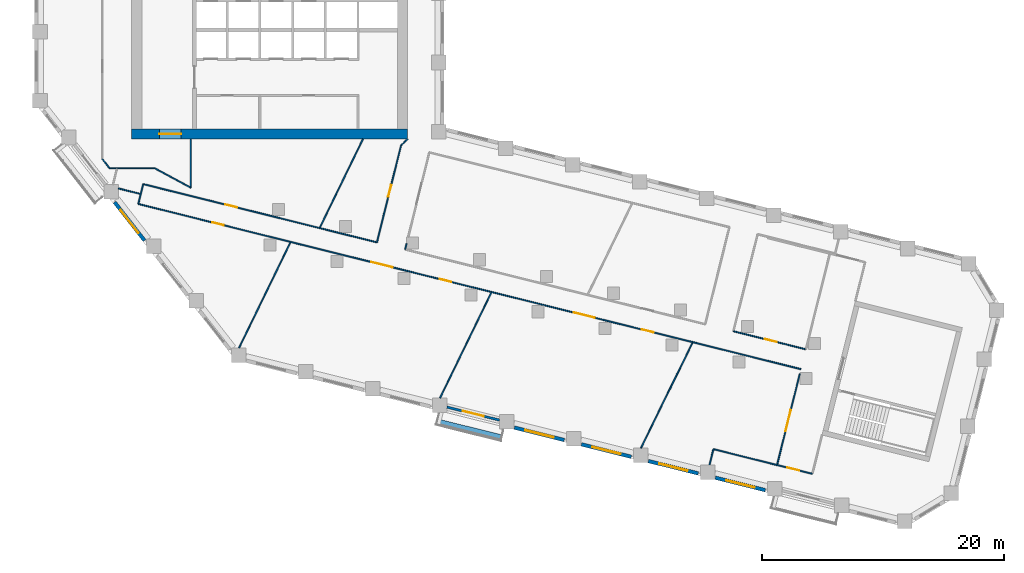
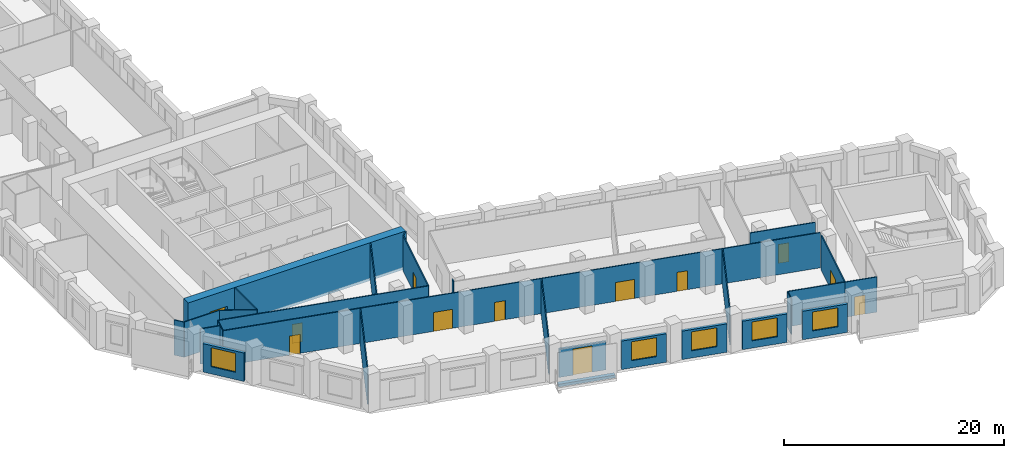
# One storey, part 3 of 10: 28 walls, 12 doors, 5 windows, 17 openings.
"""IFC4 building model written with IfcOpenShell, lengths in metres."""

from ifc_helpers import new_model, si_unit, direction, frame, frame_2d, origin, place, context, subcontext, project, spatial, rectangle, extrude, material, layer, layer_set, type_object, element, fill, save


model = new_model("IFC4")

# Units and contexts
model_context = context("Model", 3, precision=1e-05, world=origin(), true_north=direction((0.0, 1.0)))
body_context = subcontext(model_context, "Body", "Model", "MODEL_VIEW")
ifc_project = project(units=[si_unit("LENGTHUNIT", "METRE"), si_unit("AREAUNIT", "SQUARE_METRE"), si_unit("VOLUMEUNIT", "CUBIC_METRE"), si_unit("PLANEANGLEUNIT", "RADIAN"), si_unit("MASSUNIT", "GRAM", prefix="KILO")], contexts=[model_context])

# Site, building, storey
site_placement = place(None, origin())
site = spatial("IfcSite", under=ifc_project, at=site_placement, CompositionType="ELEMENT")
building_placement = place(site_placement, origin())
building = spatial("IfcBuilding", under=site, at=building_placement, Name="Meshkara Civic Tower", CompositionType="ELEMENT")
storey_placement = place(building_placement, frame((0.0, 0.0, 190.800048828125)))
storey = spatial("IfcBuildingStorey", under=building, at=storey_placement, Name="L43", CompositionType="ELEMENT", Elevation=190.800048828125)

# Wall, opening, door
ifc_material_1 = material(Name="Concrete C70", Category="concrete")
ifc_layer_1 = layer(ifc_material_1, 0.85009765625)
ifc_layer_set_1 = layer_set([ifc_layer_1], Name="Core ring wall 850 C70")
wall_type_1 = type_object("IfcWallType", Name="Core ring wall 850 C70", PredefinedType="SHEAR", material=ifc_layer_set_1)
wall_1_placement = place(storey_placement, frame((8.0, 14.52490234375, -0.300048828125), z_axis=(0.0, 0.0, 1.0), x_axis=(1.0, 0.0, 0.0)))
wall_1 = element("IfcWall", 1, at=wall_1_placement, inside=storey, type_object=wall_type_1, Name="L43-C001", PredefinedType="SHEAR", context=body_context, shape_type="SweptSolid", body=[
    extrude(rectangle(XDim=22.800048828125, YDim=0.85009765625, at=frame_2d((11.39990234375, 0.0))), origin(), (0.0, 0.0, 1.0), 4.199951171875),
])
opening_1_placement = place(wall_1_placement, frame((2.300048828125, 0.0, 0.300048828125)))
opening_1 = element("IfcOpeningElement", 2, at=opening_1_placement, cuts=wall_1, Name="Opening L43-K021", PredefinedType="OPENING", context=body_context, shape_type="SweptSolid", body=[
    extrude(rectangle(XDim=1.800048828125, YDim=2.10009765625, at=frame_2d((0.89990234375, 1.050048828125))), frame((0.0, 0.43505859375, 0.0), z_axis=(0.0, -1.0, 0.0), x_axis=(1.0, 0.0, 0.0)), (0.0, 0.0, 1.0), 0.8701171875),
])
ifc_material_2 = material(Name="Fire-rated door leaf in steel frame", Category="steel")
door_type_1 = type_object("IfcDoorType", Name="Core double door 1800 EI 60", OperationType="DOUBLE_DOOR_SINGLE_SWING", PredefinedType="DOOR", material=ifc_material_2)
door_1_placement = place(opening_1_placement, origin())
door_1 = element("IfcDoor", 3, at=door_1_placement, inside=storey, type_object=door_type_1, Name="L43-K021", OperationType="DOUBLE_DOOR_SINGLE_SWING", OverallHeight=2.10009765625, OverallWidth=1.800048828125, PredefinedType="DOOR", context=body_context, shape_type="SweptSolid", body=[
    extrude(rectangle(XDim=1.800048828125, YDim=2.10009765625, at=frame_2d((0.89990234375, 1.050048828125))), frame((0.0, 0.02490234375, 0.0), z_axis=(0.0, -1.0, 0.0), x_axis=(1.0, 0.0, 0.0)), (0.0, 0.0, 1.0), 0.050048828125),
])
fill(opening_1, door_1)

# Walls
ifc_material_3 = material(Name="Corridor wall 100")
ifc_layer_2 = layer(ifc_material_3, 0.10009765625)
ifc_layer_set_2 = layer_set([ifc_layer_2], Name="Corridor wall 100")
wall_type_2 = type_object("IfcWallType", Name="Corridor wall 100", PredefinedType="PARTITIONING", material=ifc_layer_set_2)
wall_2_placement = place(storey_placement, frame((5.60009765625, 12.450927734375, 0.0), z_axis=(0.0, 0.0, 1.0), x_axis=(0.615783213621, -0.787915626081, 0.0)))
element("IfcWall", 4, at=wall_2_placement, inside=storey, type_object=wall_type_2, Name="L43-W004", PredefinedType="PARTITIONING", context=body_context, shape_type="SweptSolid", body=[
    extrude(rectangle(XDim=0.953125, YDim=0.10009765625, at=frame_2d((0.4765625, 0.0))), origin(), (0.0, 0.0, 1.0), 3.89990234375),
])
wall_3_placement = place(storey_placement, frame((6.18701171875, 11.699951171875, 0.0), z_axis=(0.0, 0.0, 1.0), x_axis=(1.0, 0.0, 0.0)))
element("IfcWall", 5, at=wall_3_placement, inside=storey, type_object=wall_type_2, Name="L43-W006", PredefinedType="PARTITIONING", context=body_context, shape_type="SweptSolid", body=[
    extrude(rectangle(XDim=3.712890625, YDim=0.10009765625, at=frame_2d((1.8564453125, 0.0))), origin(), (0.0, 0.0, 1.0), 3.89990234375),
])

# Wall, openings, doors
wall_4_placement = place(storey_placement, frame((8.56494140625, 8.743896484375, 0.0), z_axis=(0.0, 0.0, 1.0), x_axis=(0.97029693432, -0.24191705035, 0.0)))
wall_4 = element("IfcWall", 6, at=wall_4_placement, inside=storey, type_object=wall_type_2, Name="L43-W009", PredefinedType="PARTITIONING", context=body_context, shape_type="SweptSolid", body=[
    extrude(rectangle(XDim=56.37451171875, YDim=0.10009765625, at=frame_2d((28.187255859375, 0.0))), origin(), (0.0, 0.0, 1.0), 3.89990234375),
])
opening_2_placement = place(wall_4_placement, frame((37.030029296875, 0.0, 0.0)))
opening_2 = element("IfcOpeningElement", 7, at=opening_2_placement, cuts=wall_4, Name="Opening L43-D003", PredefinedType="OPENING", context=body_context, shape_type="SweptSolid", body=[
    extrude(rectangle(XDim=1.800048828125, YDim=2.10009765625, at=frame_2d((0.89990234375, 1.050048828125))), frame((0.0, 0.06005859375, 0.0), z_axis=(0.0, -1.0, 0.0), x_axis=(1.0, 0.0, 0.0)), (0.0, 0.0, 1.0), 0.1201171875),
])
opening_3_placement = place(wall_4_placement, frame((42.830078125, 0.0, 0.0)))
opening_3 = element("IfcOpeningElement", 8, at=opening_3_placement, cuts=wall_4, Name="Opening L43-D004", PredefinedType="OPENING", context=body_context, shape_type="SweptSolid", body=[
    extrude(rectangle(XDim=1.0, YDim=2.10009765625, at=frame_2d((0.5, 1.050048828125))), frame((0.0, 0.06005859375, 0.0), z_axis=(0.0, -1.0, 0.0), x_axis=(1.0, 0.0, 0.0)), (0.0, 0.0, 1.0), 0.1201171875),
])
opening_4_placement = place(wall_4_placement, frame((19.8310546875, 0.0, 0.0)))
opening_4 = element("IfcOpeningElement", 9, at=opening_4_placement, cuts=wall_4, Name="Opening L43-D006", PredefinedType="OPENING", context=body_context, shape_type="SweptSolid", body=[
    extrude(rectangle(XDim=1.800048828125, YDim=2.10009765625, at=frame_2d((0.89990234375, 1.050048828125))), frame((0.0, 0.06005859375, 0.0), z_axis=(0.0, -1.0, 0.0), x_axis=(1.0, 0.0, 0.0)), (0.0, 0.0, 1.0), 0.1201171875),
])
opening_5_placement = place(wall_4_placement, frame((25.631103515625, 0.0, 0.0)))
opening_5 = element("IfcOpeningElement", 10, at=opening_5_placement, cuts=wall_4, Name="Opening L43-D007", PredefinedType="OPENING", context=body_context, shape_type="SweptSolid", body=[
    extrude(rectangle(XDim=1.0, YDim=2.10009765625, at=frame_2d((0.5, 1.050048828125))), frame((0.0, 0.06005859375, 0.0), z_axis=(0.0, -1.0, 0.0), x_axis=(1.0, 0.0, 0.0)), (0.0, 0.0, 1.0), 0.1201171875),
])
opening_6_placement = place(wall_4_placement, frame((6.280029296875, 0.0, 0.0)))
opening_6 = element("IfcOpeningElement", 11, at=opening_6_placement, cuts=wall_4, Name="Opening L43-D010", PredefinedType="OPENING", context=body_context, shape_type="SweptSolid", body=[
    extrude(rectangle(XDim=1.0, YDim=2.10009765625, at=frame_2d((0.5, 1.050048828125))), frame((0.0, 0.06005859375, 0.0), z_axis=(0.0, -1.0, 0.0), x_axis=(1.0, 0.0, 0.0)), (0.0, 0.0, 1.0), 0.1201171875),
])
ifc_material_4 = material(Name="Door 1000 x 2100")
door_type_2 = type_object("IfcDoorType", Name="Door 1000 x 2100", OperationType="SINGLE_SWING_LEFT", PredefinedType="DOOR", material=ifc_material_4)
door_2_placement = place(opening_3_placement, origin())
door_2 = element("IfcDoor", 12, at=door_2_placement, inside=storey, type_object=door_type_2, Name="L43-D004", OperationType="SINGLE_SWING_LEFT", OverallHeight=2.10009765625, OverallWidth=1.0, PredefinedType="DOOR", context=body_context, shape_type="SweptSolid", body=[
    extrude(rectangle(XDim=1.0, YDim=2.10009765625, at=frame_2d((0.5, 1.050048828125))), frame((0.0, 0.02490234375, 0.0), z_axis=(0.0, -1.0, 0.0), x_axis=(1.0, 0.0, 0.0)), (0.0, 0.0, 1.0), 0.050048828125),
])
fill(opening_3, door_2)
door_3_placement = place(opening_5_placement, origin())
door_3 = element("IfcDoor", 13, at=door_3_placement, inside=storey, type_object=door_type_2, Name="L43-D007", OperationType="SINGLE_SWING_LEFT", OverallHeight=2.10009765625, OverallWidth=1.0, PredefinedType="DOOR", context=body_context, shape_type="SweptSolid", body=[
    extrude(rectangle(XDim=1.0, YDim=2.10009765625, at=frame_2d((0.5, 1.050048828125))), frame((0.0, 0.02490234375, 0.0), z_axis=(0.0, -1.0, 0.0), x_axis=(1.0, 0.0, 0.0)), (0.0, 0.0, 1.0), 0.050048828125),
])
fill(opening_5, door_3)
door_4_placement = place(opening_6_placement, origin())
door_4 = element("IfcDoor", 14, at=door_4_placement, inside=storey, type_object=door_type_2, Name="L43-D010", OperationType="SINGLE_SWING_LEFT", OverallHeight=2.10009765625, OverallWidth=1.0, PredefinedType="DOOR", context=body_context, shape_type="SweptSolid", body=[
    extrude(rectangle(XDim=1.0, YDim=2.10009765625, at=frame_2d((0.5, 1.050048828125))), frame((0.0, 0.02490234375, 0.0), z_axis=(0.0, -1.0, 0.0), x_axis=(1.0, 0.0, 0.0)), (0.0, 0.0, 1.0), 0.050048828125),
])
fill(opening_6, door_4)
ifc_material_5 = material(Name="Door pair 1800 x 2100")
door_type_3 = type_object("IfcDoorType", Name="Door pair 1800 x 2100", OperationType="SINGLE_SWING_LEFT", PredefinedType="DOOR", material=ifc_material_5)
door_5_placement = place(opening_2_placement, origin())
door_5 = element("IfcDoor", 15, at=door_5_placement, inside=storey, type_object=door_type_3, Name="L43-D003", OperationType="DOUBLE_DOOR_SINGLE_SWING", OverallHeight=2.10009765625, OverallWidth=1.800048828125, PredefinedType="DOOR", context=body_context, shape_type="SweptSolid", body=[
    extrude(rectangle(XDim=1.800048828125, YDim=2.10009765625, at=frame_2d((0.89990234375, 1.050048828125))), frame((0.0, 0.02490234375, 0.0), z_axis=(0.0, -1.0, 0.0), x_axis=(1.0, 0.0, 0.0)), (0.0, 0.0, 1.0), 0.050048828125),
])
fill(opening_2, door_5)
door_6_placement = place(opening_4_placement, origin())
door_6 = element("IfcDoor", 16, at=door_6_placement, inside=storey, type_object=door_type_3, Name="L43-D006", OperationType="DOUBLE_DOOR_SINGLE_SWING", OverallHeight=2.10009765625, OverallWidth=1.800048828125, PredefinedType="DOOR", context=body_context, shape_type="SweptSolid", body=[
    extrude(rectangle(XDim=1.800048828125, YDim=2.10009765625, at=frame_2d((0.89990234375, 1.050048828125))), frame((0.0, 0.02490234375, 0.0), z_axis=(0.0, -1.0, 0.0), x_axis=(1.0, 0.0, 0.0)), (0.0, 0.0, 1.0), 0.050048828125),
])
fill(opening_4, door_6)

# Wall, opening, door
wall_5_placement = place(storey_placement, frame((8.972900390625, 10.382080078125, 0.0), z_axis=(0.0, 0.0, 1.0), x_axis=(0.970286808807, -0.241957658808, 0.0)))
wall_5 = element("IfcWall", 17, at=wall_5_placement, inside=storey, type_object=wall_type_2, Name="L43-W010", PredefinedType="PARTITIONING", context=body_context, shape_type="SweptSolid", body=[
    extrude(rectangle(XDim=19.879638671875, YDim=0.10009765625, at=frame_2d((9.93994140625, 0.0))), origin(), (0.0, 0.0, 1.0), 3.89990234375),
])
opening_7_placement = place(wall_5_placement, frame((6.97998046875, 0.0, 0.0)))
opening_7 = element("IfcOpeningElement", 18, at=opening_7_placement, cuts=wall_5, Name="Opening L43-D011", PredefinedType="OPENING", context=body_context, shape_type="SweptSolid", body=[
    extrude(rectangle(XDim=1.0, YDim=2.10009765625, at=frame_2d((0.5, 1.050048828125))), frame((0.0, 0.06005859375, 0.0), z_axis=(0.0, -1.0, 0.0), x_axis=(1.0, 0.0, 0.0)), (0.0, 0.0, 1.0), 0.1201171875),
])
door_7_placement = place(opening_7_placement, origin())
door_7 = element("IfcDoor", 19, at=door_7_placement, inside=storey, type_object=door_type_2, Name="L43-D011", OperationType="SINGLE_SWING_LEFT", OverallHeight=2.10009765625, OverallWidth=1.0, PredefinedType="DOOR", context=body_context, shape_type="SweptSolid", body=[
    extrude(rectangle(XDim=1.0, YDim=2.10009765625, at=frame_2d((0.5, 1.050048828125))), frame((0.0, 0.02490234375, 0.0), z_axis=(0.0, -1.0, 0.0), x_axis=(1.0, 0.0, 0.0)), (0.0, 0.0, 1.0), 0.050048828125),
])
fill(opening_7, door_7)

# Walls
wall_6_placement = place(storey_placement, frame((8.972900390625, 10.382080078125, 0.0), z_axis=(0.0, 0.0, 1.0), x_axis=(-0.241650823739, -0.970363271866, 0.0)))
element("IfcWall", 20, at=wall_6_placement, inside=storey, type_object=wall_type_2, Name="L43-W011", PredefinedType="PARTITIONING", context=body_context, shape_type="SweptSolid", body=[
    extrude(rectangle(XDim=1.688232421875, YDim=0.10009765625, at=frame_2d((0.84423828125, 0.0))), origin(), (0.0, 0.0, 1.0), 3.89990234375),
])
wall_7_placement = place(storey_placement, frame((9.89990234375, 11.699951171875, 0.0), z_axis=(0.0, 0.0, 1.0), x_axis=(0.87965147249, -0.475618846291, 0.0)))
element("IfcWall", 21, at=wall_7_placement, inside=storey, type_object=wall_type_2, Name="L43-W012", PredefinedType="PARTITIONING", context=body_context, shape_type="SweptSolid", body=[
    extrude(rectangle(XDim=3.410400390625, YDim=0.10009765625, at=frame_2d((1.705078125, 0.0))), origin(), (0.0, 0.0, 1.0), 3.89990234375),
])
wall_8_placement = place(storey_placement, frame((12.89990234375, 10.077880859375, 0.0), z_axis=(0.0, 0.0, 1.0), x_axis=(0.0, 1.0, 0.0)))
element("IfcWall", 22, at=wall_8_placement, inside=storey, type_object=wall_type_2, Name="L43-W016", PredefinedType="PARTITIONING", context=body_context, shape_type="SweptSolid", body=[
    extrude(rectangle(XDim=4.022216796875, YDim=0.10009765625, at=frame_2d((2.01123046875, 0.0))), origin(), (0.0, 0.0, 1.0), 3.89990234375),
])

# Wall, opening, door
wall_9_placement = place(storey_placement, frame((30.259033203125, 13.5830078125, 0.0), z_axis=(0.0, 0.0, 1.0), x_axis=(-0.241888494143, -0.970304053584, 0.0)))
wall_9 = element("IfcWall", 23, at=wall_9_placement, inside=storey, type_object=wall_type_2, Name="L43-W023", PredefinedType="PARTITIONING", context=body_context, shape_type="SweptSolid", body=[
    extrude(rectangle(XDim=8.256103515625, YDim=0.10009765625, at=frame_2d((4.1279296875, 0.0))), origin(), (0.0, 0.0, 1.0), 3.89990234375),
])
opening_8_placement = place(wall_9_placement, frame((3.3798828125, 0.0, 0.0)))
opening_8 = element("IfcOpeningElement", 24, at=opening_8_placement, cuts=wall_9, Name="Opening L43-D012", PredefinedType="OPENING", context=body_context, shape_type="SweptSolid", body=[
    extrude(rectangle(XDim=1.0, YDim=2.10009765625, at=frame_2d((0.5, 1.050048828125))), frame((0.0, 0.06005859375, 0.0), z_axis=(0.0, -1.0, 0.0), x_axis=(1.0, 0.0, 0.0)), (0.0, 0.0, 1.0), 0.1201171875),
])
door_8_placement = place(opening_8_placement, origin())
door_8 = element("IfcDoor", 25, at=door_8_placement, inside=storey, type_object=door_type_2, Name="L43-D012", OperationType="SINGLE_SWING_RIGHT", OverallHeight=2.10009765625, OverallWidth=1.0, PredefinedType="DOOR", context=body_context, shape_type="SweptSolid", body=[
    extrude(rectangle(XDim=1.0, YDim=2.10009765625, at=frame_2d((0.5, 1.050048828125))), frame((0.0, 0.02490234375, 0.0), z_axis=(0.0, -1.0, 0.0), x_axis=(1.0, 0.0, 0.0)), (0.0, 0.0, 1.0), 0.050048828125),
])
fill(opening_8, door_8)

# Walls
wall_10_placement = place(storey_placement, frame((30.590087890625, 4.991943359375, 0.0), z_axis=(0.0, 0.0, 1.0), x_axis=(0.241731207299, 0.970343250308, 0.0)))
element("IfcWall", 26, at=wall_10_placement, inside=storey, type_object=wall_type_2, Name="L43-W025", PredefinedType="PARTITIONING", context=body_context, shape_type="SweptSolid", body=[
    extrude(rectangle(XDim=0.5, YDim=0.10009765625, at=frame_2d((0.25, 0.0))), origin(), (0.0, 0.0, 1.0), 3.89990234375),
])
wall_11_placement = place(storey_placement, frame((30.800048828125, 14.10009765625, 0.0), z_axis=(0.0, 0.0, 1.0), x_axis=(-0.722911025189, -0.690941133281, 0.0)))
element("IfcWall", 27, at=wall_11_placement, inside=storey, type_object=wall_type_2, Name="L43-W026", PredefinedType="PARTITIONING", context=body_context, shape_type="SweptSolid", body=[
    extrude(rectangle(XDim=0.748291015625, YDim=0.10009765625, at=frame_2d((0.3740234375, 0.0))), origin(), (0.0, 0.0, 1.0), 3.89990234375),
])

# Wall, opening, door
wall_12_placement = place(storey_placement, frame((61.2919921875, -12.80810546875, 0.0), z_axis=(0.0, 0.0, 1.0), x_axis=(0.970290716908, -0.241941986192, 0.0)))
wall_12 = element("IfcWall", 28, at=wall_12_placement, inside=storey, type_object=wall_type_2, Name="L43-W032", PredefinedType="PARTITIONING", context=body_context, shape_type="SweptSolid", body=[
    extrude(rectangle(XDim=3.0, YDim=0.10009765625, at=frame_2d((1.5, 0.0))), origin(), (0.0, 0.0, 1.0), 3.89990234375),
])
opening_9_placement = place(wall_12_placement, frame((0.8798828125, 0.0, 0.0)))
opening_9 = element("IfcOpeningElement", 29, at=opening_9_placement, cuts=wall_12, Name="Opening L43-D001", PredefinedType="OPENING", context=body_context, shape_type="SweptSolid", body=[
    extrude(rectangle(XDim=1.0, YDim=2.10009765625, at=frame_2d((0.5, 1.050048828125))), frame((0.0, 0.06005859375, 0.0), z_axis=(0.0, -1.0, 0.0), x_axis=(1.0, 0.0, 0.0)), (0.0, 0.0, 1.0), 0.1201171875),
])
door_9_placement = place(opening_9_placement, origin())
door_9 = element("IfcDoor", 30, at=door_9_placement, inside=storey, type_object=door_type_2, Name="L43-D001", OperationType="SINGLE_SWING_RIGHT", OverallHeight=2.10009765625, OverallWidth=1.0, PredefinedType="DOOR", context=body_context, shape_type="SweptSolid", body=[
    extrude(rectangle(XDim=1.0, YDim=2.10009765625, at=frame_2d((0.5, 1.050048828125))), frame((0.0, 0.02490234375, 0.0), z_axis=(0.0, -1.0, 0.0), x_axis=(1.0, 0.0, 0.0)), (0.0, 0.0, 1.0), 0.050048828125),
])
fill(opening_9, door_9)

wall_13_placement = place(storey_placement, frame((63.1689453125, -5.279052734375, 0.0), z_axis=(0.0, 0.0, 1.0), x_axis=(-0.241891494948, -0.970303305504, 0.0)))
wall_13 = element("IfcWall", 31, at=wall_13_placement, inside=storey, type_object=wall_type_2, Name="L43-W033", PredefinedType="PARTITIONING", context=body_context, shape_type="SweptSolid", body=[
    extrude(rectangle(XDim=7.759521484375, YDim=0.10009765625, at=frame_2d((3.8798828125, 0.0))), origin(), (0.0, 0.0, 1.0), 3.89990234375),
])
opening_10_placement = place(wall_13_placement, frame((3.080078125, 0.0, 0.0)))
opening_10 = element("IfcOpeningElement", 32, at=opening_10_placement, cuts=wall_13, Name="Opening L43-D002", PredefinedType="OPENING", context=body_context, shape_type="SweptSolid", body=[
    extrude(rectangle(XDim=1.800048828125, YDim=2.10009765625, at=frame_2d((0.89990234375, 1.050048828125))), frame((0.0, 0.06005859375, 0.0), z_axis=(0.0, -1.0, 0.0), x_axis=(1.0, 0.0, 0.0)), (0.0, 0.0, 1.0), 0.1201171875),
])
door_10_placement = place(opening_10_placement, origin())
door_10 = element("IfcDoor", 33, at=door_10_placement, inside=storey, type_object=door_type_3, Name="L43-D002", OperationType="DOUBLE_DOOR_SINGLE_SWING", OverallHeight=2.10009765625, OverallWidth=1.800048828125, PredefinedType="DOOR", context=body_context, shape_type="SweptSolid", body=[
    extrude(rectangle(XDim=1.800048828125, YDim=2.10009765625, at=frame_2d((0.89990234375, 1.050048828125))), frame((0.0, 0.02490234375, 0.0), z_axis=(0.0, -1.0, 0.0), x_axis=(1.0, 0.0, 0.0)), (0.0, 0.0, 1.0), 0.050048828125),
])
fill(opening_10, door_10)

wall_14_placement = place(storey_placement, frame((63.674072265625, -3.257080078125, 0.0), z_axis=(0.0, 0.0, 1.0), x_axis=(-0.970279662322, 0.24198631549, 0.0)))
wall_14 = element("IfcWall", 34, at=wall_14_placement, inside=storey, type_object=wall_type_2, Name="L43-W034", PredefinedType="PARTITIONING", context=body_context, shape_type="SweptSolid", body=[
    extrude(rectangle(XDim=6.17041015625, YDim=0.10009765625, at=frame_2d((3.085205078125, 0.0))), origin(), (0.0, 0.0, 1.0), 3.89990234375),
])
opening_11_placement = place(wall_14_placement, frame((2.47998046875, 0.0, 0.0)))
opening_11 = element("IfcOpeningElement", 35, at=opening_11_placement, cuts=wall_14, Name="Opening L43-D005", PredefinedType="OPENING", context=body_context, shape_type="SweptSolid", body=[
    extrude(rectangle(XDim=1.0, YDim=2.10009765625, at=frame_2d((0.5, 1.050048828125))), frame((0.0, 0.06005859375, 0.0), z_axis=(0.0, -1.0, 0.0), x_axis=(1.0, 0.0, 0.0)), (0.0, 0.0, 1.0), 0.1201171875),
])
door_11_placement = place(opening_11_placement, origin())
door_11 = element("IfcDoor", 36, at=door_11_placement, inside=storey, type_object=door_type_2, Name="L43-D005", OperationType="SINGLE_SWING_RIGHT", OverallHeight=2.10009765625, OverallWidth=1.0, PredefinedType="DOOR", context=body_context, shape_type="SweptSolid", body=[
    extrude(rectangle(XDim=1.0, YDim=2.10009765625, at=frame_2d((0.5, 1.050048828125))), frame((0.0, 0.02490234375, 0.0), z_axis=(0.0, -1.0, 0.0), x_axis=(1.0, 0.0, 0.0)), (0.0, 0.0, 1.0), 0.050048828125),
])
fill(opening_11, door_11)

# Wall, opening, window
ifc_material_6 = material(Name="Insulated infill panel with bronze anodised aluminium cladding", Category="aluminium")
ifc_layer_3 = layer(ifc_material_6, 0.300048828125)
ifc_layer_set_3 = layer_set([ifc_layer_3], Name="EXTERNAL INFILL WALL 300")
wall_type_3 = type_object("IfcWallType", Name="EXTERNAL INFILL WALL 300", PredefinedType="SOLIDWALL", material=ifc_layer_set_3)
wall_15_placement = place(storey_placement, frame((6.60498046875, 8.888916015625, 0.0), z_axis=(0.0, 0.0, 1.0), x_axis=(0.615706559089, -0.787975528233, 0.0)))
wall_15 = element("IfcWall", 37, at=wall_15_placement, inside=storey, type_object=wall_type_3, Name="External wall", PredefinedType="SOLIDWALL", context=body_context, shape_type="SweptSolid", body=[
    extrude(rectangle(XDim=4.016357421875, YDim=0.300048828125, at=frame_2d((2.00830078125, 0.0))), origin(), (0.0, 0.0, 1.0), 3.14990234375),
])
opening_12_placement = place(wall_15_placement, frame((0.80810546875, 0.0, 0.800048828125)))
opening_12 = element("IfcOpeningElement", 38, at=opening_12_placement, cuts=wall_15, Name="Opening W7", PredefinedType="OPENING", context=body_context, shape_type="SweptSolid", body=[
    extrude(rectangle(XDim=2.39990234375, YDim=2.10009765625, at=frame_2d((1.199951171875, 1.050048828125))), frame((0.0, 0.159912109375, 0.0), z_axis=(0.0, -1.0, 0.0), x_axis=(1.0, 0.0, 0.0)), (0.0, 0.0, 1.0), 0.320068359375),
])
ifc_material_7 = material(Name="Tinted double glazing", Category="glass")
window_type = type_object("IfcWindowType", Name="WINDOW 2400x2100", PartitioningType="DOUBLE_PANEL_VERTICAL", PredefinedType="WINDOW", material=ifc_material_7)
window_1_placement = place(opening_12_placement, origin())
window_1 = element("IfcWindow", 39, at=window_1_placement, inside=storey, type_object=window_type, Name="Window", OverallHeight=2.10009765625, OverallWidth=2.39990234375, PartitioningType="DOUBLE_PANEL_VERTICAL", PredefinedType="WINDOW", context=body_context, shape_type="SweptSolid", body=[
    extrude(rectangle(XDim=2.39990234375, YDim=2.10009765625, at=frame_2d((1.199951171875, 1.050048828125))), frame((0.0, 0.030029296875, 0.0), z_axis=(0.0, -1.0, 0.0), x_axis=(1.0, 0.0, 0.0)), (0.0, 0.0, 1.0), 0.06005859375),
])
fill(opening_12, window_1)

wall_16_placement = place(storey_placement, frame((39.60693359375, -9.719970703125, 0.0), z_axis=(0.0, 0.0, 1.0), x_axis=(0.970250625545, -0.242102712975, 0.0)))
wall_16 = element("IfcWall", 40, at=wall_16_placement, inside=storey, type_object=wall_type_3, Name="External wall", PredefinedType="SOLIDWALL", context=body_context, shape_type="SweptSolid", body=[
    extrude(rectangle(XDim=4.246337890625, YDim=0.300048828125, at=frame_2d((2.123046875, 0.0))), origin(), (0.0, 0.0, 1.0), 3.14990234375),
])
opening_13_placement = place(wall_16_placement, frame((0.923095703125, 0.0, 0.800048828125)))
opening_13 = element("IfcOpeningElement", 41, at=opening_13_placement, cuts=wall_16, Name="Opening W7", PredefinedType="OPENING", context=body_context, shape_type="SweptSolid", body=[
    extrude(rectangle(XDim=2.39990234375, YDim=2.10009765625, at=frame_2d((1.199951171875, 1.050048828125))), frame((0.0, 0.159912109375, 0.0), z_axis=(0.0, -1.0, 0.0), x_axis=(1.0, 0.0, 0.0)), (0.0, 0.0, 1.0), 0.320068359375),
])
window_2_placement = place(opening_13_placement, origin())
window_2 = element("IfcWindow", 42, at=window_2_placement, inside=storey, type_object=window_type, Name="Window", OverallHeight=2.10009765625, OverallWidth=2.39990234375, PartitioningType="DOUBLE_PANEL_VERTICAL", PredefinedType="WINDOW", context=body_context, shape_type="SweptSolid", body=[
    extrude(rectangle(XDim=2.39990234375, YDim=2.10009765625, at=frame_2d((1.199951171875, 1.050048828125))), frame((0.0, 0.030029296875, 0.0), z_axis=(0.0, -1.0, 0.0), x_axis=(1.0, 0.0, 0.0)), (0.0, 0.0, 1.0), 0.06005859375),
])
fill(opening_13, window_2)

wall_17_placement = place(storey_placement, frame((45.137939453125, -11.09912109375, 0.0), z_axis=(0.0, 0.0, 1.0), x_axis=(0.970304663212, -0.241886048688, 0.0)))
wall_17 = element("IfcWall", 43, at=wall_17_placement, inside=storey, type_object=wall_type_3, Name="External wall", PredefinedType="SOLIDWALL", context=body_context, shape_type="SweptSolid", body=[
    extrude(rectangle(XDim=4.2451171875, YDim=0.300048828125, at=frame_2d((2.12255859375, 0.0))), origin(), (0.0, 0.0, 1.0), 3.14990234375),
])
opening_14_placement = place(wall_17_placement, frame((0.922119140625, 0.0, 0.800048828125)))
opening_14 = element("IfcOpeningElement", 44, at=opening_14_placement, cuts=wall_17, Name="Opening W7", PredefinedType="OPENING", context=body_context, shape_type="SweptSolid", body=[
    extrude(rectangle(XDim=2.39990234375, YDim=2.10009765625, at=frame_2d((1.199951171875, 1.050048828125))), frame((0.0, 0.159912109375, 0.0), z_axis=(0.0, -1.0, 0.0), x_axis=(1.0, 0.0, 0.0)), (0.0, 0.0, 1.0), 0.320068359375),
])
window_3_placement = place(opening_14_placement, origin())
window_3 = element("IfcWindow", 45, at=window_3_placement, inside=storey, type_object=window_type, Name="Window", OverallHeight=2.10009765625, OverallWidth=2.39990234375, PartitioningType="DOUBLE_PANEL_VERTICAL", PredefinedType="WINDOW", context=body_context, shape_type="SweptSolid", body=[
    extrude(rectangle(XDim=2.39990234375, YDim=2.10009765625, at=frame_2d((1.199951171875, 1.050048828125))), frame((0.0, 0.030029296875, 0.0), z_axis=(0.0, -1.0, 0.0), x_axis=(1.0, 0.0, 0.0)), (0.0, 0.0, 1.0), 0.06005859375),
])
fill(opening_14, window_3)

wall_18_placement = place(storey_placement, frame((50.66796875, -12.47802734375, 0.0), z_axis=(0.0, 0.0, 1.0), x_axis=(0.970318118028, -0.241832069473, 0.0)))
wall_18 = element("IfcWall", 46, at=wall_18_placement, inside=storey, type_object=wall_type_3, Name="External wall", PredefinedType="SOLIDWALL", context=body_context, shape_type="SweptSolid", body=[
    extrude(rectangle(XDim=4.24609375, YDim=0.300048828125, at=frame_2d((2.123046875, 0.0))), origin(), (0.0, 0.0, 1.0), 3.14990234375),
])
opening_15_placement = place(wall_18_placement, frame((0.923095703125, 0.0, 0.800048828125)))
opening_15 = element("IfcOpeningElement", 47, at=opening_15_placement, cuts=wall_18, Name="Opening W7", PredefinedType="OPENING", context=body_context, shape_type="SweptSolid", body=[
    extrude(rectangle(XDim=2.39990234375, YDim=2.10009765625, at=frame_2d((1.199951171875, 1.050048828125))), frame((0.0, 0.159912109375, 0.0), z_axis=(0.0, -1.0, 0.0), x_axis=(1.0, 0.0, 0.0)), (0.0, 0.0, 1.0), 0.320068359375),
])
window_4_placement = place(opening_15_placement, origin())
window_4 = element("IfcWindow", 48, at=window_4_placement, inside=storey, type_object=window_type, Name="Window", OverallHeight=2.10009765625, OverallWidth=2.39990234375, PartitioningType="DOUBLE_PANEL_VERTICAL", PredefinedType="WINDOW", context=body_context, shape_type="SweptSolid", body=[
    extrude(rectangle(XDim=2.39990234375, YDim=2.10009765625, at=frame_2d((1.199951171875, 1.050048828125))), frame((0.0, 0.030029296875, 0.0), z_axis=(0.0, -1.0, 0.0), x_axis=(1.0, 0.0, 0.0)), (0.0, 0.0, 1.0), 0.06005859375),
])
fill(opening_15, window_4)

wall_19_placement = place(storey_placement, frame((56.198974609375, -13.85693359375, 0.0), z_axis=(0.0, 0.0, 1.0), x_axis=(0.97030462482, -0.241886202691, 0.0)))
wall_19 = element("IfcWall", 49, at=wall_19_placement, inside=storey, type_object=wall_type_3, Name="External wall", PredefinedType="SOLIDWALL", context=body_context, shape_type="SweptSolid", body=[
    extrude(rectangle(XDim=4.24609375, YDim=0.300048828125, at=frame_2d((2.123046875, 0.0))), origin(), (0.0, 0.0, 1.0), 3.14990234375),
])
opening_16_placement = place(wall_19_placement, frame((0.923095703125, 0.0, 0.800048828125)))
opening_16 = element("IfcOpeningElement", 50, at=opening_16_placement, cuts=wall_19, Name="Opening W7", PredefinedType="OPENING", context=body_context, shape_type="SweptSolid", body=[
    extrude(rectangle(XDim=2.39990234375, YDim=2.10009765625, at=frame_2d((1.199951171875, 1.050048828125))), frame((0.0, 0.159912109375, 0.0), z_axis=(0.0, -1.0, 0.0), x_axis=(1.0, 0.0, 0.0)), (0.0, 0.0, 1.0), 0.320068359375),
])
window_5_placement = place(opening_16_placement, origin())
window_5 = element("IfcWindow", 51, at=window_5_placement, inside=storey, type_object=window_type, Name="Window", OverallHeight=2.10009765625, OverallWidth=2.39990234375, PartitioningType="DOUBLE_PANEL_VERTICAL", PredefinedType="WINDOW", context=body_context, shape_type="SweptSolid", body=[
    extrude(rectangle(XDim=2.39990234375, YDim=2.10009765625, at=frame_2d((1.199951171875, 1.050048828125))), frame((0.0, 0.030029296875, 0.0), z_axis=(0.0, -1.0, 0.0), x_axis=(1.0, 0.0, 0.0)), (0.0, 0.0, 1.0), 0.06005859375),
])
fill(opening_16, window_5)

# Wall, opening, door
ifc_material_8 = material(Name="Insulated infill panel with bronze anodised aluminium cladding", Category="aluminium")
ifc_layer_4 = layer(ifc_material_8, 0.199951171875)
ifc_layer_set_4 = layer_set([ifc_layer_4], Name="LOGGIA BACK WALL 200")
wall_type_4 = type_object("IfcWallType", Name="LOGGIA BACK WALL 200", PredefinedType="SOLIDWALL", material=ifc_layer_set_4)
wall_20_placement = place(storey_placement, frame((34.04296875, -8.02392578125, 0.0), z_axis=(0.0, 0.0, 1.0), x_axis=(0.970283897632, -0.241969332758, 0.0)))
wall_20 = element("IfcWall", 52, at=wall_20_placement, inside=storey, type_object=wall_type_4, Name="Loggia wall", PredefinedType="SOLIDWALL", context=body_context, shape_type="SweptSolid", body=[
    extrude(rectangle(XDim=4.463623046875, YDim=0.199951171875, at=frame_2d((2.23193359375, 0.0))), origin(), (0.0, 0.0, 1.0), 3.14990234375),
])
opening_17_placement = place(wall_20_placement, frame((1.3310546875, 0.0, 0.0)))
opening_17 = element("IfcOpeningElement", 53, at=opening_17_placement, cuts=wall_20, Name="Opening L43-L003", PredefinedType="OPENING", context=body_context, shape_type="SweptSolid", body=[
    extrude(rectangle(XDim=1.800048828125, YDim=2.89990234375, at=frame_2d((0.89990234375, 1.449951171875))), frame((0.0, 0.10986328125, 0.0), z_axis=(0.0, -1.0, 0.0), x_axis=(1.0, 0.0, 0.0)), (0.0, 0.0, 1.0), 0.219970703125),
])
ifc_material_9 = material(Name="Tinted double glazing", Category="glass")
door_type_4 = type_object("IfcDoorType", Name="LOGGIA DOOR 1800x2900", OperationType="DOUBLE_DOOR_SINGLE_SWING", PredefinedType="DOOR", material=ifc_material_9)
door_12_placement = place(opening_17_placement, origin())
door_12 = element("IfcDoor", 54, at=door_12_placement, inside=storey, type_object=door_type_4, Name="L43-L003", OperationType="DOUBLE_DOOR_SINGLE_SWING", OverallHeight=2.89990234375, OverallWidth=1.800048828125, PredefinedType="DOOR", context=body_context, shape_type="SweptSolid", body=[
    extrude(rectangle(XDim=1.800048828125, YDim=2.89990234375, at=frame_2d((0.89990234375, 1.449951171875))), frame((0.0, 0.02490234375, 0.0), z_axis=(0.0, -1.0, 0.0), x_axis=(1.0, 0.0, 0.0)), (0.0, 0.0, 1.0), 0.050048828125),
])
fill(opening_17, door_12)

# Walls
ifc_material_10 = material(Name="Concrete C40", Category="concrete")
ifc_layer_5 = layer(ifc_material_10, 0.39990234375)
ifc_layer_set_5 = layer_set([ifc_layer_5], Name="PLANTER TRAY")
wall_type_5 = type_object("IfcWallType", Name="PLANTER TRAY", PredefinedType="SOLIDWALL", material=ifc_layer_set_5)
wall_21_placement = place(storey_placement, frame((33.285888671875, -9.2060546875, 0.0), z_axis=(0.0, 0.0, 1.0), x_axis=(0.970292345375, -0.241935455249, 0.0)))
element("IfcWall", 55, at=wall_21_placement, inside=storey, type_object=wall_type_5, Name="Planter", PredefinedType="SOLIDWALL", context=body_context, shape_type="SweptSolid", body=[
    extrude(rectangle(XDim=5.3603515625, YDim=0.39990234375, at=frame_2d((2.68017578125, 0.0))), origin(), (0.0, 0.0, 1.0), 0.300048828125),
])
ifc_material_11 = material(Name="Partition 100")
ifc_layer_6 = layer(ifc_material_11, 0.10009765625)
ifc_layer_set_6 = layer_set([ifc_layer_6], Name="Partition 100")
wall_type_6 = type_object("IfcWallType", Name="Partition 100", PredefinedType="PARTITIONING", material=ifc_layer_set_6)
wall_22_placement = place(storey_placement, frame((8.719970703125, 9.573974609375, 0.0), z_axis=(0.0, 0.0, 1.0), x_axis=(-0.97017350799, 0.242411559945, 0.0)))
element("IfcWall", 56, at=wall_22_placement, inside=storey, type_object=wall_type_6, Name="L43-W048", PredefinedType="PARTITIONING", context=body_context, shape_type="SweptSolid", body=[
    extrude(rectangle(XDim=1.85205078125, YDim=0.10009765625, at=frame_2d((0.926025390625, 0.0))), origin(), (0.0, 0.0, 1.0), 3.89990234375),
])
wall_23_placement = place(storey_placement, frame((16.876953125, -3.137939453125, 0.0), z_axis=(0.0, 0.0, 1.0), x_axis=(0.438466907108, 0.898747334556, 0.0)))
element("IfcWall", 57, at=wall_23_placement, inside=storey, type_object=wall_type_6, Name="L43-W051", PredefinedType="PARTITIONING", context=body_context, shape_type="SweptSolid", body=[
    extrude(rectangle(XDim=9.669921875, YDim=0.10009765625, at=frame_2d((4.8349609375, 0.0))), origin(), (0.0, 0.0, 1.0), 3.89990234375),
])
wall_24_placement = place(storey_placement, frame((23.554931640625, 6.80810546875, 0.0), z_axis=(0.0, 0.0, 1.0), x_axis=(0.438332324522, 0.898812980146, 0.0)))
element("IfcWall", 58, at=wall_24_placement, inside=storey, type_object=wall_type_6, Name="L43-W053", PredefinedType="PARTITIONING", context=body_context, shape_type="SweptSolid", body=[
    extrude(rectangle(XDim=8.11279296875, YDim=0.10009765625, at=frame_2d((4.056396484375, 0.0))), origin(), (0.0, 0.0, 1.0), 3.89990234375),
])
wall_25_placement = place(storey_placement, frame((33.469970703125, -7.27490234375, 0.0), z_axis=(0.0, 0.0, 1.0), x_axis=(0.438303739134, 0.898826920081, 0.0)))
element("IfcWall", 59, at=wall_25_placement, inside=storey, type_object=wall_type_6, Name="L43-W054", PredefinedType="PARTITIONING", context=body_context, shape_type="SweptSolid", body=[
    extrude(rectangle(XDim=9.669189453125, YDim=0.10009765625, at=frame_2d((4.83447265625, 0.0))), origin(), (0.0, 0.0, 1.0), 3.89990234375),
])
wall_26_placement = place(storey_placement, frame((50.06201171875, -11.410888671875, 0.0), z_axis=(0.0, 0.0, 1.0), x_axis=(0.438425124484, 0.898767717612, 0.0)))
element("IfcWall", 60, at=wall_26_placement, inside=storey, type_object=wall_type_6, Name="L43-W056", PredefinedType="PARTITIONING", context=body_context, shape_type="SweptSolid", body=[
    extrude(rectangle(XDim=9.668701171875, YDim=0.10009765625, at=frame_2d((4.83447265625, 0.0))), origin(), (0.0, 0.0, 1.0), 3.89990234375),
])
wall_27_placement = place(storey_placement, frame((55.716064453125, -12.7900390625, 0.0), z_axis=(0.0, 0.0, 1.0), x_axis=(0.241845285879, 0.970314824012, 0.0)))
element("IfcWall", 61, at=wall_27_placement, inside=storey, type_object=wall_type_6, Name="L43-W057", PredefinedType="PARTITIONING", context=body_context, shape_type="SweptSolid", body=[
    extrude(rectangle(XDim=1.33154296875, YDim=0.10009765625, at=frame_2d((0.665771484375, 0.0))), origin(), (0.0, 0.0, 1.0), 3.89990234375),
])
wall_28_placement = place(storey_placement, frame((56.0380859375, -11.498046875, 0.0), z_axis=(0.0, 0.0, 1.0), x_axis=(0.970290732875, -0.241941922155, 0.0)))
element("IfcWall", 62, at=wall_28_placement, inside=storey, type_object=wall_type_6, Name="L43-W058", PredefinedType="PARTITIONING", context=body_context, shape_type="SweptSolid", body=[
    extrude(rectangle(XDim=5.418701171875, YDim=0.10009765625, at=frame_2d((2.70947265625, 0.0))), origin(), (0.0, 0.0, 1.0), 3.89990234375),
])

save(model, "model.ifc")
